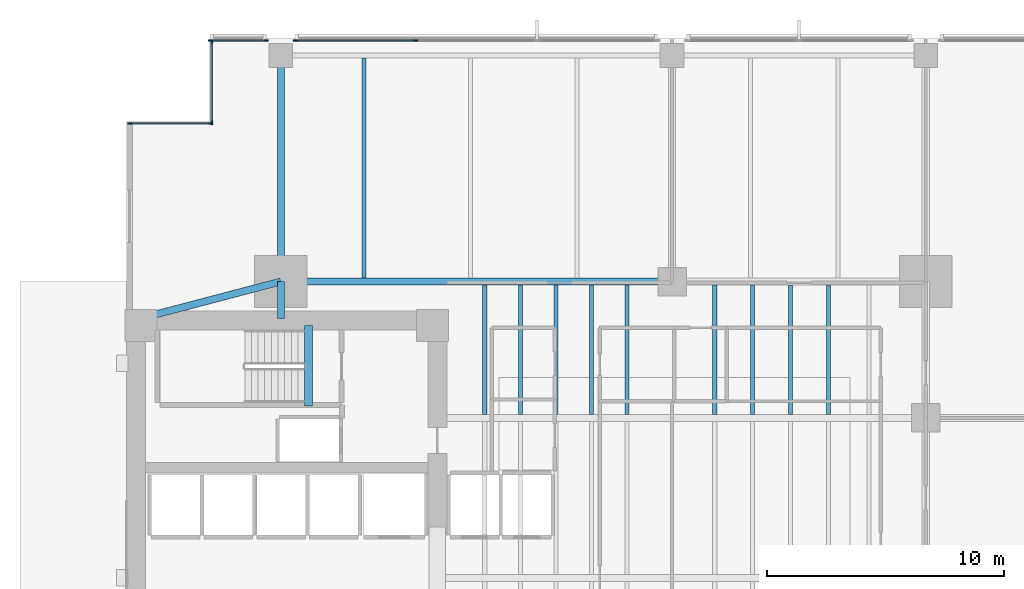
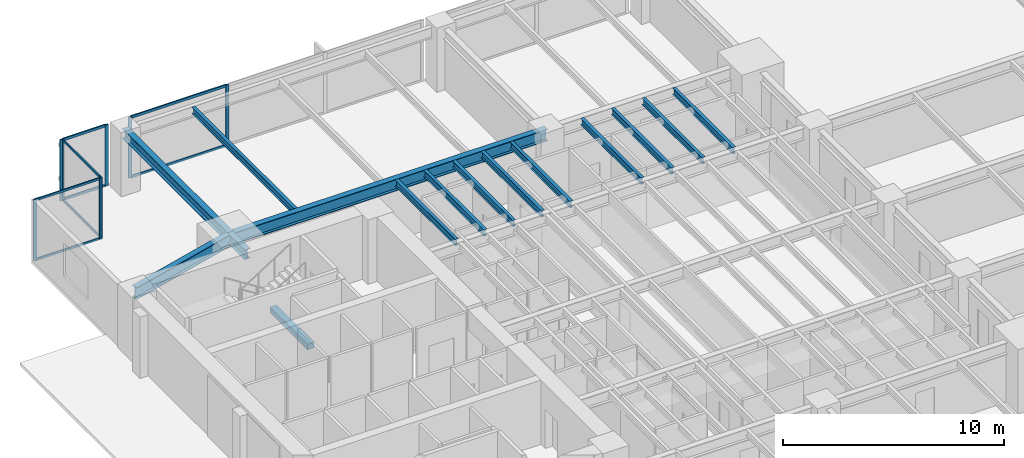
# One storey, part 5 of 16: 16 members, 15 beams, 4 elements without a shape of their own.
"""IFC4 building model written with IfcOpenShell, lengths in metres."""

from ifc_helpers import new_model, si_unit, direction, frame, origin, origin_2d, place, context, subcontext, project, spatial, rectangle, i_section, extrude, material, layer, layer_set, material_profile, profile_set, type_object, element, aggregate, save


model = new_model("IFC4")

# Units and contexts
model_context = context("Model", 3, precision=1e-05, world=origin(), true_north=direction((0.0, 1.0)))
body_context = subcontext(model_context, "Body", "Model", "MODEL_VIEW")
ifc_project = project(units=[si_unit("LENGTHUNIT", "METRE"), si_unit("AREAUNIT", "SQUARE_METRE"), si_unit("VOLUMEUNIT", "CUBIC_METRE"), si_unit("PLANEANGLEUNIT", "RADIAN"), si_unit("MASSUNIT", "GRAM", prefix="KILO")], contexts=[model_context])

# Site, building, storey
site_placement = place(None, origin())
site = spatial("IfcSite", under=ifc_project, at=site_placement, CompositionType="ELEMENT")
building_placement = place(site_placement, origin())
building = spatial("IfcBuilding", under=site, at=building_placement, Name="Kinhvarn Gate Tower", CompositionType="ELEMENT")
storey_placement = place(building_placement, frame((0.0, 0.0, 25.60009765625)))
storey = spatial("IfcBuildingStorey", under=building, at=storey_placement, Name="L05", CompositionType="ELEMENT", Elevation=25.60009765625)

# Beam
ifc_material_1 = material(Name="Concrete C50/60", Category="concrete")
ifc_material_profile_1 = material_profile(ifc_material_1, rectangle(XDim=0.340087890625, YDim=0.320068359375, at=origin_2d()), Name="RC 340x320")
ifc_profile_set_1 = profile_set([ifc_material_profile_1], Name="Concrete C50/60")
beam_type_1 = type_object("IfcBeamType", Name="BM-LND-500", PredefinedType="BEAM", material=ifc_profile_set_1)
beam_1_placement = place(storey_placement, frame((12.1650390625, 32.5, -0.16015625), z_axis=(0.0, 1.0, 0.0), x_axis=(-1.0, 0.0, 0.0)))
element("IfcBeam", 1, at=beam_1_placement, inside=storey, type_object=beam_type_1, Name="Stair ST2 Landing Nosing Beam (L05)", PredefinedType="BEAM", context=body_context, shape_type="SweptSolid", body=[
    extrude(rectangle(XDim=0.340087890625, YDim=0.320068359375, at=origin_2d()), origin(), (0.0, 0.0, 1.0), 3.39990234375),
])

# Curtain wall, members
ifc_material_2 = material(Name="Anodised aluminium AW-6063", Category="aluminium")
ifc_layer_1 = layer(ifc_material_2, 0.179931640625)
ifc_layer_set_1 = layer_set([ifc_layer_1], Name="Anodised aluminium AW-6063")
curtain_wall_type_1 = type_object("IfcCurtainWallType", Name="CW-SYS-4", PredefinedType="NOTDEFINED", material=ifc_layer_set_1)
curtain_wall_1_placement = place(storey_placement, origin())
curtain_wall_1 = element("IfcCurtainWall", 2, at=curtain_wall_1_placement, inside=storey, type_object=curtain_wall_type_1, Name="Curtain Wall CW4 (L05)", PredefinedType="NOTDEFINED")
ifc_material_profile_2 = material_profile(ifc_material_2, rectangle(XDim=0.06494140625, YDim=0.159912109375, at=origin_2d()), Name="ALU 65x160")
ifc_profile_set_2 = profile_set([ifc_material_profile_2], Name="Anodised aluminium AW-6063")
member_type_1 = type_object("IfcMemberType", Name="CW-MUL-160", PredefinedType="MULLION", material=ifc_profile_set_2)
member_1_placement = place(storey_placement, frame((8.090087890625, 47.87744140625, 0.0), z_axis=(0.0, 0.0, 1.0), x_axis=(1.0, 0.0, 0.0)))
member_1 = element("IfcMember", 3, at=member_1_placement, type_object=member_type_1, Name="CW4 mullion 1", PredefinedType="MULLION", context=body_context, shape_type="SweptSolid", body=[
    extrude(rectangle(XDim=0.06494140625, YDim=0.159912109375, at=origin_2d()), origin(), (0.0, 0.0, 1.0), 3.369873046875),
])
member_2_placement = place(storey_placement, frame((8.090087890625, 44.4423828125, 0.0), z_axis=(0.0, 0.0, 1.0), x_axis=(1.0, 0.0, 0.0)))
member_2 = element("IfcMember", 4, at=member_2_placement, type_object=member_type_1, Name="CW4 mullion 2", PredefinedType="MULLION", context=body_context, shape_type="SweptSolid", body=[
    extrude(rectangle(XDim=0.06494140625, YDim=0.159912109375, at=origin_2d()), origin(), (0.0, 0.0, 1.0), 3.369873046875),
])

curtain_wall_2_placement = place(storey_placement, origin())
curtain_wall_2 = element("IfcCurtainWall", 5, at=curtain_wall_2_placement, inside=storey, type_object=curtain_wall_type_1, Name="Curtain Wall CW4 (L05)", PredefinedType="NOTDEFINED")
member_3_placement = place(storey_placement, frame((8.0576171875, 44.409912109375, 0.0), z_axis=(0.0, 0.0, 1.0), x_axis=(0.0, -1.0, 0.0)))
member_3 = element("IfcMember", 6, at=member_3_placement, type_object=member_type_1, Name="CW4 mullion 1", PredefinedType="MULLION", context=body_context, shape_type="SweptSolid", body=[
    extrude(rectangle(XDim=0.06494140625, YDim=0.159912109375, at=origin_2d()), origin(), (0.0, 0.0, 1.0), 3.369873046875),
])
member_4_placement = place(storey_placement, frame((4.62255859375, 44.409912109375, 0.0), z_axis=(0.0, 0.0, 1.0), x_axis=(0.0, -1.0, 0.0)))
member_4 = element("IfcMember", 7, at=member_4_placement, type_object=member_type_1, Name="CW4 mullion 2", PredefinedType="MULLION", context=body_context, shape_type="SweptSolid", body=[
    extrude(rectangle(XDim=0.06494140625, YDim=0.159912109375, at=origin_2d()), origin(), (0.0, 0.0, 1.0), 3.369873046875),
])

ifc_layer_2 = layer(ifc_material_2, 0.179931640625)
ifc_layer_set_2 = layer_set([ifc_layer_2], Name="Anodised aluminium AW-6063")
curtain_wall_type_2 = type_object("IfcCurtainWallType", Name="CW-SYS-2", PredefinedType="NOTDEFINED", material=ifc_layer_set_2)
curtain_wall_3_placement = place(storey_placement, origin())
curtain_wall_3 = element("IfcCurtainWall", 8, at=curtain_wall_3_placement, inside=storey, type_object=curtain_wall_type_2, Name="Curtain Wall CW2 (L05)", PredefinedType="NOTDEFINED")
ifc_material_profile_3 = material_profile(ifc_material_2, rectangle(XDim=0.070068359375, YDim=0.179931640625, at=origin_2d()), Name="ALU 70x180")
ifc_profile_set_3 = profile_set([ifc_material_profile_3], Name="Anodised aluminium AW-6063")
member_type_2 = type_object("IfcMemberType", Name="CW-MUL-180", PredefinedType="MULLION", material=ifc_profile_set_3)
member_5_placement = place(storey_placement, frame((16.693359375, 47.909912109375, 0.0), z_axis=(0.0, 0.0, 1.0), x_axis=(0.0, -1.0, 0.0)))
member_5 = element("IfcMember", 9, at=member_5_placement, type_object=member_type_2, Name="CW2 mullion 3", PredefinedType="MULLION", context=body_context, shape_type="SweptSolid", body=[
    extrude(rectangle(XDim=0.070068359375, YDim=0.179931640625, at=origin_2d()), origin(), (0.0, 0.0, 1.0), 3.369873046875),
])
member_6_placement = place(storey_placement, frame((11.614990234375, 47.909912109375, 0.0), z_axis=(0.0, 0.0, 1.0), x_axis=(0.0, -1.0, 0.0)))
member_6 = element("IfcMember", 10, at=member_6_placement, type_object=member_type_2, Name="CW2 mullion 4", PredefinedType="MULLION", context=body_context, shape_type="SweptSolid", body=[
    extrude(rectangle(XDim=0.070068359375, YDim=0.179931640625, at=origin_2d()), origin(), (0.0, 0.0, 1.0), 3.369873046875),
])

curtain_wall_4_placement = place(storey_placement, origin())
curtain_wall_4 = element("IfcCurtainWall", 11, at=curtain_wall_4_placement, inside=storey, type_object=curtain_wall_type_2, Name="Curtain Wall CW2 (L05)", PredefinedType="NOTDEFINED")
member_7_placement = place(storey_placement, frame((10.385009765625, 47.909912109375, 0.0), z_axis=(0.0, 0.0, 1.0), x_axis=(0.0, -1.0, 0.0)))
member_7 = element("IfcMember", 12, at=member_7_placement, type_object=member_type_2, Name="CW2 mullion 1", PredefinedType="MULLION", context=body_context, shape_type="SweptSolid", body=[
    extrude(rectangle(XDim=0.070068359375, YDim=0.179931640625, at=origin_2d()), origin(), (0.0, 0.0, 1.0), 3.369873046875),
])
member_8_placement = place(storey_placement, frame((8.034912109375, 47.909912109375, 0.0), z_axis=(0.0, 0.0, 1.0), x_axis=(0.0, -1.0, 0.0)))
member_8 = element("IfcMember", 13, at=member_8_placement, type_object=member_type_2, Name="CW2 mullion 2", PredefinedType="MULLION", context=body_context, shape_type="SweptSolid", body=[
    extrude(rectangle(XDim=0.070068359375, YDim=0.179931640625, at=origin_2d()), origin(), (0.0, 0.0, 1.0), 3.369873046875),
])

# Member
ifc_material_profile_4 = material_profile(ifc_material_2, rectangle(XDim=0.06494140625, YDim=0.1201171875, at=origin_2d()), Name="ALU 65x120")
ifc_profile_set_4 = profile_set([ifc_material_profile_4], Name="Anodised aluminium AW-6063")
member_type_3 = type_object("IfcMemberType", Name="CW-TRN-120", PredefinedType="USERDEFINED", material=ifc_profile_set_4)
member_9_placement = place(storey_placement, frame((8.090087890625, 47.844970703125, 0.032470703125), z_axis=(0.0, -1.0, 0.0), x_axis=(1.0, 0.0, 0.0)))
member_9 = element("IfcMember", 14, at=member_9_placement, type_object=member_type_3, Name="CW4 transom 1.1", ObjectType="TRANSOM", PredefinedType="USERDEFINED", context=body_context, shape_type="SweptSolid", body=[
    extrude(rectangle(XDim=0.06494140625, YDim=0.1201171875, at=origin_2d()), origin(), (0.0, 0.0, 1.0), 3.369873046875),
])

member_10_placement = place(storey_placement, frame((8.090087890625, 47.844970703125, 3.33740234375), z_axis=(0.0, -1.0, 0.0), x_axis=(1.0, 0.0, 0.0)))
member_10 = element("IfcMember", 15, at=member_10_placement, type_object=member_type_3, Name="CW4 transom 1.2", ObjectType="TRANSOM", PredefinedType="USERDEFINED", context=body_context, shape_type="SweptSolid", body=[
    extrude(rectangle(XDim=0.06494140625, YDim=0.1201171875, at=origin_2d()), origin(), (0.0, 0.0, 1.0), 3.369873046875),
])

aggregate(curtain_wall_1, [member_1, member_2, member_9, member_10])

member_11_placement = place(storey_placement, frame((8.02490234375, 44.409912109375, 0.032470703125), z_axis=(-1.0, 0.0, 0.0), x_axis=(0.0, -1.0, 0.0)))
member_11 = element("IfcMember", 16, at=member_11_placement, type_object=member_type_3, Name="CW4 transom 1.1", ObjectType="TRANSOM", PredefinedType="USERDEFINED", context=body_context, shape_type="SweptSolid", body=[
    extrude(rectangle(XDim=0.06494140625, YDim=0.1201171875, at=origin_2d()), origin(), (0.0, 0.0, 1.0), 3.369873046875),
])

member_12_placement = place(storey_placement, frame((8.02490234375, 44.409912109375, 3.33740234375), z_axis=(-1.0, 0.0, 0.0), x_axis=(0.0, -1.0, 0.0)))
member_12 = element("IfcMember", 17, at=member_12_placement, type_object=member_type_3, Name="CW4 transom 1.2", ObjectType="TRANSOM", PredefinedType="USERDEFINED", context=body_context, shape_type="SweptSolid", body=[
    extrude(rectangle(XDim=0.06494140625, YDim=0.1201171875, at=origin_2d()), origin(), (0.0, 0.0, 1.0), 3.369873046875),
])

aggregate(curtain_wall_2, [member_3, member_4, member_11, member_12])

ifc_material_profile_5 = material_profile(ifc_material_2, rectangle(XDim=0.070068359375, YDim=0.139892578125, at=origin_2d()), Name="ALU 70x140")
ifc_profile_set_5 = profile_set([ifc_material_profile_5], Name="Anodised aluminium AW-6063")
member_type_4 = type_object("IfcMemberType", Name="CW-TRN-140", PredefinedType="USERDEFINED", material=ifc_profile_set_5)
member_13_placement = place(storey_placement, frame((16.658447265625, 47.909912109375, 0.034912109375), z_axis=(-1.0, 0.0, 0.0), x_axis=(0.0, -1.0, 0.0)))
member_13 = element("IfcMember", 18, at=member_13_placement, type_object=member_type_4, Name="CW2 transom 3.1", ObjectType="TRANSOM", PredefinedType="USERDEFINED", context=body_context, shape_type="SweptSolid", body=[
    extrude(rectangle(XDim=0.070068359375, YDim=0.139892578125, at=origin_2d()), origin(), (0.0, 0.0, 1.0), 5.008544921875),
])

member_14_placement = place(storey_placement, frame((16.658447265625, 47.909912109375, 3.3349609375), z_axis=(-1.0, 0.0, 0.0), x_axis=(0.0, -1.0, 0.0)))
member_14 = element("IfcMember", 19, at=member_14_placement, type_object=member_type_4, Name="CW2 transom 3.2", ObjectType="TRANSOM", PredefinedType="USERDEFINED", context=body_context, shape_type="SweptSolid", body=[
    extrude(rectangle(XDim=0.070068359375, YDim=0.139892578125, at=origin_2d()), origin(), (0.0, 0.0, 1.0), 5.008544921875),
])

aggregate(curtain_wall_3, [member_5, member_6, member_13, member_14])

member_15_placement = place(storey_placement, frame((10.35009765625, 47.909912109375, 0.034912109375), z_axis=(-1.0, 0.0, 0.0), x_axis=(0.0, -1.0, 0.0)))
member_15 = element("IfcMember", 20, at=member_15_placement, type_object=member_type_4, Name="CW2 transom 1.1", ObjectType="TRANSOM", PredefinedType="USERDEFINED", context=body_context, shape_type="SweptSolid", body=[
    extrude(rectangle(XDim=0.070068359375, YDim=0.139892578125, at=origin_2d()), origin(), (0.0, 0.0, 1.0), 2.280029296875),
])

member_16_placement = place(storey_placement, frame((10.35009765625, 47.909912109375, 3.3349609375), z_axis=(-1.0, 0.0, 0.0), x_axis=(0.0, -1.0, 0.0)))
member_16 = element("IfcMember", 21, at=member_16_placement, type_object=member_type_4, Name="CW2 transom 1.2", ObjectType="TRANSOM", PredefinedType="USERDEFINED", context=body_context, shape_type="SweptSolid", body=[
    extrude(rectangle(XDim=0.070068359375, YDim=0.139892578125, at=origin_2d()), origin(), (0.0, 0.0, 1.0), 2.280029296875),
])

aggregate(curtain_wall_4, [member_7, member_8, member_15, member_16])

# Beams
ifc_material_3 = material(Name="Steel S355", Category="steel")
ifc_material_profile_6 = material_profile(ifc_material_3, i_section(OverallWidth=0.300048828125, OverallDepth=0.550048828125, WebThickness=0.014892578125, FlangeThickness=0.029052734375, at=origin_2d()), Name="HEB 550")
ifc_profile_set_6 = profile_set([ifc_material_profile_6], Name="Steel S355")
beam_type_2 = type_object("IfcBeamType", Name="STL-HEB550", PredefinedType="BEAM", material=ifc_profile_set_6)
beam_2_placement = place(storey_placement, frame((11.0, 36.199951171875, 3.094970703125), z_axis=(0.0, 1.0, 0.0), x_axis=(-1.0, 0.0, 0.0)))
element("IfcBeam", 22, at=beam_2_placement, inside=storey, type_object=beam_type_2, Name="Floor Beam PG-15 (L05 MCW-CN)", PredefinedType="BEAM", context=body_context, shape_type="SweptSolid", body=[
    extrude(i_section(OverallWidth=0.300048828125, OverallDepth=0.550048828125, WebThickness=0.014892578125, FlangeThickness=0.029052734375, at=origin_2d()), origin(), (0.0, 0.0, 1.0), 1.550048828125),
])
beam_3_placement = place(storey_placement, frame((11.0, 37.75, 3.094970703125), z_axis=(0.0, 1.0, 0.0), x_axis=(-1.0, 0.0, 0.0)))
element("IfcBeam", 23, at=beam_3_placement, inside=storey, type_object=beam_type_2, Name="Floor Beam PG-15 (L05 MCW-N)", PredefinedType="BEAM", context=body_context, shape_type="SweptSolid", body=[
    extrude(i_section(OverallWidth=0.300048828125, OverallDepth=0.550048828125, WebThickness=0.014892578125, FlangeThickness=0.029052734375, at=origin_2d()), origin(), (0.0, 0.0, 1.0), 9.530029296875),
])
ifc_material_profile_7 = material_profile(ifc_material_3, i_section(OverallWidth=0.300048828125, OverallDepth=0.64990234375, WebThickness=0.01611328125, FlangeThickness=0.031005859375, at=origin_2d()), Name="HEB 650")
ifc_profile_set_7 = profile_set([ifc_material_profile_7], Name="Steel S355")
beam_type_3 = type_object("IfcBeamType", Name="STL-HEB650", PredefinedType="BEAM", material=ifc_profile_set_7)
beam_4_placement = place(storey_placement, frame((11.0, 37.75, 3.044921875), z_axis=(1.0, 0.0, 0.0), x_axis=(0.0, 1.0, 0.0)))
element("IfcBeam", 24, at=beam_4_placement, inside=storey, type_object=beam_type_3, Name="Floor Beam PG-17 (L05 MG-N1)", PredefinedType="BEAM", context=body_context, shape_type="SweptSolid", body=[
    extrude(i_section(OverallWidth=0.300048828125, OverallDepth=0.64990234375, WebThickness=0.01611328125, FlangeThickness=0.031005859375, at=origin_2d()), origin(), (0.0, 0.0, 1.0), 16.5),
])
beam_5_placement = place(storey_placement, frame((5.10009765625, 36.199951171875, 3.044921875), z_axis=(0.967177623957, 0.254101246979, 0.0), x_axis=(-0.254101246979, 0.967177623957, 0.0)))
element("IfcBeam", 25, at=beam_5_placement, inside=storey, type_object=beam_type_3, Name="Floor Beam PG-17 (L05 MG-NW-DIAG)", PredefinedType="BEAM", context=body_context, shape_type="SweptSolid", body=[
    extrude(i_section(OverallWidth=0.300048828125, OverallDepth=0.64990234375, WebThickness=0.01611328125, FlangeThickness=0.031005859375, at=origin_2d()), origin(), (0.0, 0.0, 1.0), 6.10009765625),
])
ifc_material_profile_8 = material_profile(ifc_material_3, i_section(OverallWidth=0.169921875, OverallDepth=0.360107421875, WebThickness=0.008056640625, FlangeThickness=0.0126953125, at=origin_2d()), Name="IPE 360")
ifc_profile_set_8 = profile_set([ifc_material_profile_8], Name="Steel S355")
beam_type_4 = type_object("IfcBeamType", Name="STL-IPE360", PredefinedType="JOIST", material=ifc_profile_set_8)
for number, where, z_axis, x_axis, name in (
    (26, (19.60009765625, 32.14990234375, 3.18994140625), (0.0, 1.0, 0.0), (-1.0, 0.0, 0.0), "Floor Joist SB-04 (L05 JC-X196-3)"),
    (27, (21.10009765625, 32.14990234375, 3.18994140625), (0.0, 1.0, 0.0), (-1.0, 0.0, 0.0), "Floor Joist SB-04 (L05 JC-X211-3)"),
    (28, (22.60009765625, 32.14990234375, 3.18994140625), (0.0, 1.0, 0.0), (-1.0, 0.0, 0.0), "Floor Joist SB-04 (L05 JC-X226-3)"),
    (29, (24.10009765625, 32.14990234375, 3.18994140625), (0.0, 1.0, 0.0), (-1.0, 0.0, 0.0), "Floor Joist SB-04 (L05 JC-X241-3)"),
    (30, (25.60009765625, 32.14990234375, 3.18994140625), (0.0, 1.0, 0.0), (-1.0, 0.0, 0.0), "Floor Joist SB-04 (L05 JC-X256-3)"),
    (31, (29.300048828125, 32.14990234375, 3.18994140625), (0.0, 1.0, 0.0), (-1.0, 0.0, 0.0), "Floor Joist SB-04 (L05 JC-X293-3)"),
    (32, (30.89990234375, 32.14990234375, 3.18994140625), (0.0, 1.0, 0.0), (-1.0, 0.0, 0.0), "Floor Joist SB-04 (L05 JC-X309-3)"),
    (33, (32.5, 32.14990234375, 3.18994140625), (0.0, 1.0, 0.0), (-1.0, 0.0, 0.0), "Floor Joist SB-04 (L05 JC-X325-3)"),
    (34, (34.10009765625, 32.14990234375, 3.18994140625), (0.0, 1.0, 0.0), (-1.0, 0.0, 0.0), "Floor Joist SB-04 (L05 JC-X341-3)"),
):
    element("IfcBeam", number, at=place(storey_placement, frame(where, z_axis=z_axis, x_axis=x_axis)), inside=storey, type_object=beam_type_4, Name=name, PredefinedType="JOIST", context=body_context, shape_type="SweptSolid", body=[
        extrude(i_section(OverallWidth=0.169921875, OverallDepth=0.360107421875, WebThickness=0.008056640625, FlangeThickness=0.0126953125, at=origin_2d()), origin(), (0.0, 0.0, 1.0), 5.4501953125),
    ])
beam_6_placement = place(storey_placement, frame((14.5, 37.89990234375, 3.18994140625), z_axis=(0.0, 1.0, 0.0), x_axis=(-1.0, 0.0, 0.0)))
element("IfcBeam", 35, at=beam_6_placement, inside=storey, type_object=beam_type_4, Name="Floor Joist SB-04 (L05 JN-X145)", PredefinedType="JOIST", context=body_context, shape_type="SweptSolid", body=[
    extrude(i_section(OverallWidth=0.169921875, OverallDepth=0.360107421875, WebThickness=0.008056640625, FlangeThickness=0.0126953125, at=origin_2d()), origin(), (0.0, 0.0, 1.0), 9.27001953125),
])

save(model, "model.ifc")
